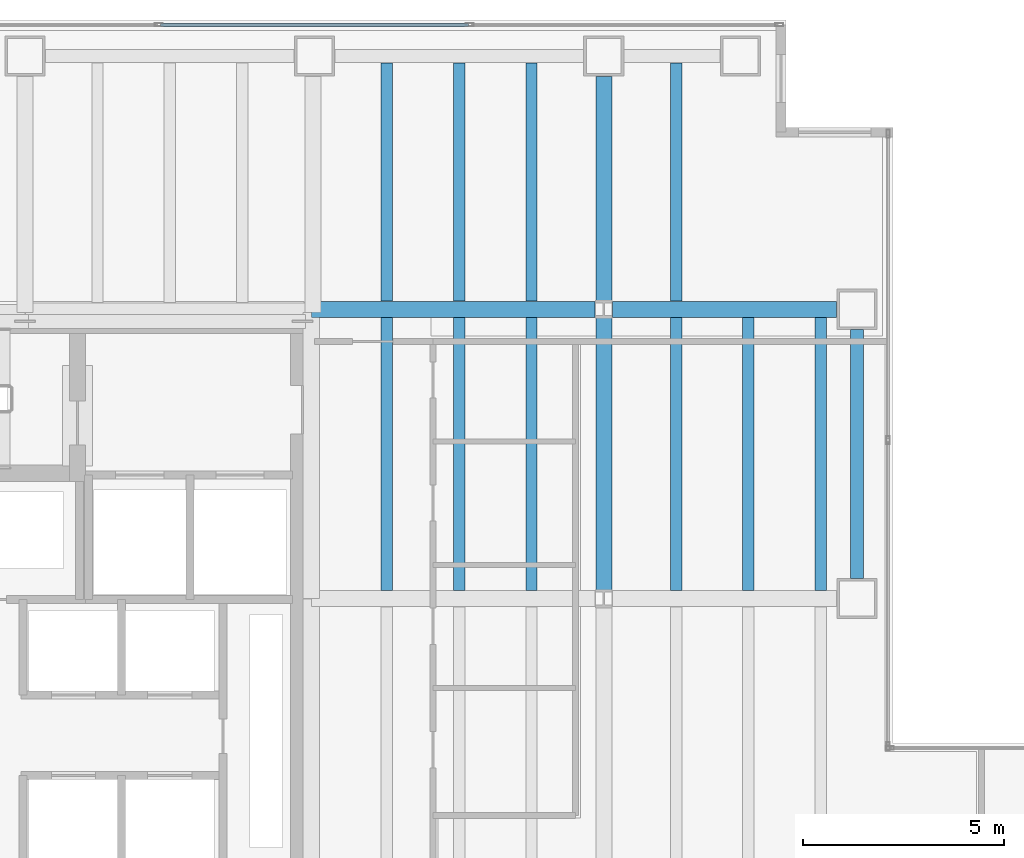
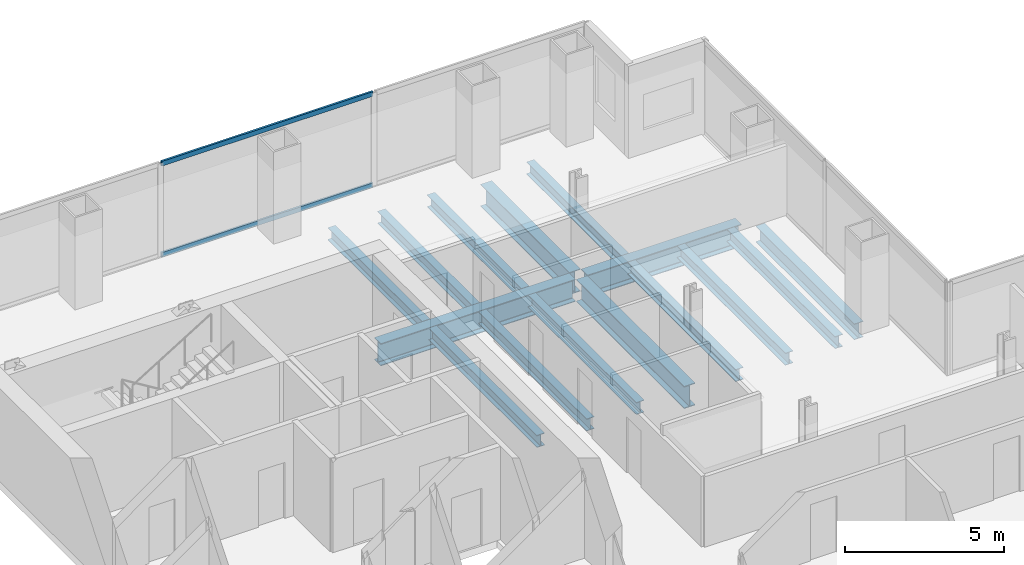
# One storey, part 17 of 23: 15 beams, 2 members, 1 element without a shape of its own.
"""IFC4 building model written with IfcOpenShell, lengths in metres."""

from ifc_helpers import new_model, si_unit, direction, frame, origin, origin_2d, place, context, subcontext, project, spatial, hollow_rectangle, i_section, extrude, material, material_profile, profile_set, type_object, element, aggregate, save


model = new_model("IFC4")

# Units and contexts
model_context = context("Model", 3, precision=1e-05, world=origin(), true_north=direction((0.0, 1.0)))
body_context = subcontext(model_context, "Body", "Model", "MODEL_VIEW")
ifc_project = project(units=[si_unit("LENGTHUNIT", "METRE"), si_unit("AREAUNIT", "SQUARE_METRE"), si_unit("VOLUMEUNIT", "CUBIC_METRE"), si_unit("PLANEANGLEUNIT", "RADIAN"), si_unit("MASSUNIT", "GRAM", prefix="KILO")], contexts=[model_context])

# Site, building, storey
site_placement = place(None, origin())
site = spatial("IfcSite", under=ifc_project, at=site_placement, CompositionType="ELEMENT")
building_placement = place(site_placement, origin())
building = spatial("IfcBuilding", under=site, at=building_placement, Name="Cobrela Telecom Tower", CompositionType="ELEMENT")
storey_placement = place(building_placement, frame((0.0, 0.0, 50.39990234375)))
storey = spatial("IfcBuildingStorey", under=building, at=storey_placement, Name="L12", CompositionType="ELEMENT", Elevation=50.39990234375)

# Beams
ifc_material_1 = material(Name="Steel ASTM A992 Grade 50", Category="steel")
ifc_material_profile_1 = material_profile(ifc_material_1, i_section(OverallWidth=0.39892578125, OverallDepth=0.85595703125, WebThickness=0.018310546875, FlangeThickness=0.029296875, FilletRadius=0.02001953125, at=origin_2d()), Name="W33X201")
ifc_profile_set_1 = profile_set([ifc_material_profile_1], Name="Steel ASTM A992 Grade 50")
beam_type_1 = type_object("IfcBeamType", Name="BM-GIRD-03", PredefinedType="USERDEFINED", material=ifc_profile_set_1)
beam_1_placement = place(storey_placement, frame((14.324951171875, 36.0, -0.7080078125), z_axis=(1.0, 0.0, 0.0), x_axis=(0.0, 1.0, 0.0)))
element("IfcBeam", 1, at=beam_1_placement, inside=storey, type_object=beam_type_1, Name="L12 Primary Girder X27", ObjectType="GIRDER", PredefinedType="USERDEFINED", context=body_context, shape_type="SweptSolid", body=[
    extrude(i_section(OverallWidth=0.39892578125, OverallDepth=0.85595703125, WebThickness=0.018310546875, FlangeThickness=0.029296875, FilletRadius=0.02001953125, at=origin_2d()), origin(), (0.0, 0.0, 1.0), 7.05908203125),
])
beam_2_placement = place(storey_placement, frame((21.81591796875, 36.0, -0.7080078125), z_axis=(1.0, 0.0, 0.0), x_axis=(0.0, 1.0, 0.0)))
element("IfcBeam", 2, at=beam_2_placement, inside=storey, type_object=beam_type_1, Name="L12 Primary Girder X28", ObjectType="GIRDER", PredefinedType="USERDEFINED", context=body_context, shape_type="SweptSolid", body=[
    extrude(i_section(OverallWidth=0.39892578125, OverallDepth=0.85595703125, WebThickness=0.018310546875, FlangeThickness=0.029296875, FilletRadius=0.02001953125, at=origin_2d()), origin(), (0.0, 0.0, 1.0), 5.5791015625),
])
beam_3_placement = place(storey_placement, frame((21.60009765625, 29.01611328125, -0.7080078125), z_axis=(0.0, 1.0, 0.0), x_axis=(-1.0, 0.0, 0.0)))
element("IfcBeam", 3, at=beam_3_placement, inside=storey, type_object=beam_type_1, Name="L12 Primary Girder Y44", ObjectType="GIRDER", PredefinedType="USERDEFINED", context=body_context, shape_type="SweptSolid", body=[
    extrude(i_section(OverallWidth=0.39892578125, OverallDepth=0.85595703125, WebThickness=0.018310546875, FlangeThickness=0.029296875, FilletRadius=0.02001953125, at=origin_2d()), origin(), (0.0, 0.0, 1.0), 6.767822265625),
])
beam_4_placement = place(storey_placement, frame((21.60009765625, 36.216064453125, -0.7080078125), z_axis=(0.0, 1.0, 0.0), x_axis=(-1.0, 0.0, 0.0)))
element("IfcBeam", 4, at=beam_4_placement, inside=storey, type_object=beam_type_1, Name="L12 Primary Girder Y45", ObjectType="GIRDER", PredefinedType="USERDEFINED", context=body_context, shape_type="SweptSolid", body=[
    extrude(i_section(OverallWidth=0.39892578125, OverallDepth=0.85595703125, WebThickness=0.018310546875, FlangeThickness=0.029296875, FilletRadius=0.02001953125, at=origin_2d()), origin(), (0.0, 0.0, 1.0), 5.578857421875),
])
ifc_material_profile_2 = material_profile(ifc_material_1, i_section(OverallWidth=0.281982421875, OverallDepth=0.467041015625, WebThickness=0.01220703125, FlangeThickness=0.01953125, FilletRadius=0.012939453125, at=origin_2d()), Name="W18X86")
ifc_profile_set_2 = profile_set([ifc_material_profile_2], Name="Steel ASTM A992 Grade 50")
beam_type_2 = type_object("IfcBeamType", Name="BM-JOIST-02", PredefinedType="JOIST", material=ifc_profile_set_2)
beam_5_placement = place(storey_placement, frame((16.199951171875, 29.00439453125, -0.513427734375), z_axis=(0.0, 1.0, 0.0), x_axis=(-1.0, 0.0, 0.0)))
element("IfcBeam", 5, at=beam_5_placement, inside=storey, type_object=beam_type_2, Name="L12 Secondary Composite Floor Beam J11", PredefinedType="JOIST", context=body_context, shape_type="SweptSolid", body=[
    extrude(i_section(OverallWidth=0.281982421875, OverallDepth=0.467041015625, WebThickness=0.01220703125, FlangeThickness=0.01953125, FilletRadius=0.012939453125, at=origin_2d()), origin(), (0.0, 0.0, 1.0), 6.791015625),
])
beam_6_placement = place(storey_placement, frame((16.199951171875, 36.20458984375, -0.513427734375), z_axis=(0.0, 1.0, 0.0), x_axis=(-1.0, 0.0, 0.0)))
element("IfcBeam", 6, at=beam_6_placement, inside=storey, type_object=beam_type_2, Name="L12 Secondary Composite Floor Beam J12", PredefinedType="JOIST", context=body_context, shape_type="SweptSolid", body=[
    extrude(i_section(OverallWidth=0.281982421875, OverallDepth=0.467041015625, WebThickness=0.01220703125, FlangeThickness=0.01953125, FilletRadius=0.012939453125, at=origin_2d()), origin(), (0.0, 0.0, 1.0), 5.927978515625),
])
beam_7_placement = place(storey_placement, frame((18.0, 29.00439453125, -0.513427734375), z_axis=(0.0, 1.0, 0.0), x_axis=(-1.0, 0.0, 0.0)))
element("IfcBeam", 7, at=beam_7_placement, inside=storey, type_object=beam_type_2, Name="L12 Secondary Composite Floor Beam J17", PredefinedType="JOIST", context=body_context, shape_type="SweptSolid", body=[
    extrude(i_section(OverallWidth=0.281982421875, OverallDepth=0.467041015625, WebThickness=0.01220703125, FlangeThickness=0.01953125, FilletRadius=0.012939453125, at=origin_2d()), origin(), (0.0, 0.0, 1.0), 6.791015625),
])
beam_8_placement = place(storey_placement, frame((18.0, 36.20458984375, -0.513427734375), z_axis=(0.0, 1.0, 0.0), x_axis=(-1.0, 0.0, 0.0)))
element("IfcBeam", 8, at=beam_8_placement, inside=storey, type_object=beam_type_2, Name="L12 Secondary Composite Floor Beam J18", PredefinedType="JOIST", context=body_context, shape_type="SweptSolid", body=[
    extrude(i_section(OverallWidth=0.281982421875, OverallDepth=0.467041015625, WebThickness=0.01220703125, FlangeThickness=0.01953125, FilletRadius=0.012939453125, at=origin_2d()), origin(), (0.0, 0.0, 1.0), 5.927978515625),
])
beam_9_placement = place(storey_placement, frame((19.800048828125, 29.00439453125, -0.513427734375), z_axis=(0.0, 1.0, 0.0), x_axis=(-1.0, 0.0, 0.0)))
element("IfcBeam", 9, at=beam_9_placement, inside=storey, type_object=beam_type_2, Name="L12 Secondary Composite Floor Beam J23", PredefinedType="JOIST", context=body_context, shape_type="SweptSolid", body=[
    extrude(i_section(OverallWidth=0.281982421875, OverallDepth=0.467041015625, WebThickness=0.01220703125, FlangeThickness=0.01953125, FilletRadius=0.012939453125, at=origin_2d()), origin(), (0.0, 0.0, 1.0), 6.791015625),
])
beam_10_placement = place(storey_placement, frame((19.800048828125, 36.20458984375, -0.513427734375), z_axis=(0.0, 1.0, 0.0), x_axis=(-1.0, 0.0, 0.0)))
element("IfcBeam", 10, at=beam_10_placement, inside=storey, type_object=beam_type_2, Name="L12 Secondary Composite Floor Beam J24", PredefinedType="JOIST", context=body_context, shape_type="SweptSolid", body=[
    extrude(i_section(OverallWidth=0.281982421875, OverallDepth=0.467041015625, WebThickness=0.01220703125, FlangeThickness=0.01953125, FilletRadius=0.012939453125, at=origin_2d()), origin(), (0.0, 0.0, 1.0), 5.927978515625),
])
beam_11_placement = place(storey_placement, frame((23.39990234375, 29.00439453125, -0.513427734375), z_axis=(0.0, 1.0, 0.0), x_axis=(-1.0, 0.0, 0.0)))
element("IfcBeam", 11, at=beam_11_placement, inside=storey, type_object=beam_type_2, Name="L12 Secondary Composite Floor Beam J29", PredefinedType="JOIST", context=body_context, shape_type="SweptSolid", body=[
    extrude(i_section(OverallWidth=0.281982421875, OverallDepth=0.467041015625, WebThickness=0.01220703125, FlangeThickness=0.01953125, FilletRadius=0.012939453125, at=origin_2d()), origin(), (0.0, 0.0, 1.0), 6.791015625),
])
beam_12_placement = place(storey_placement, frame((23.39990234375, 36.20458984375, -0.513427734375), z_axis=(0.0, 1.0, 0.0), x_axis=(-1.0, 0.0, 0.0)))
element("IfcBeam", 12, at=beam_12_placement, inside=storey, type_object=beam_type_2, Name="L12 Secondary Composite Floor Beam J30", PredefinedType="JOIST", context=body_context, shape_type="SweptSolid", body=[
    extrude(i_section(OverallWidth=0.281982421875, OverallDepth=0.467041015625, WebThickness=0.01220703125, FlangeThickness=0.01953125, FilletRadius=0.012939453125, at=origin_2d()), origin(), (0.0, 0.0, 1.0), 5.927978515625),
])
for number, where, z_axis, x_axis, name in (
    (13, (25.199951171875, 29.00439453125, -0.513427734375), (0.0, 1.0, 0.0), (-1.0, 0.0, 0.0), "L12 Secondary Composite Floor Beam J35"),
    (14, (27.0, 29.00439453125, -0.513427734375), (0.0, 1.0, 0.0), (-1.0, 0.0, 0.0), "L12 Secondary Composite Floor Beam J40"),
):
    element("IfcBeam", number, at=place(storey_placement, frame(where, z_axis=z_axis, x_axis=x_axis)), inside=storey, type_object=beam_type_2, Name=name, PredefinedType="JOIST", context=body_context, shape_type="SweptSolid", body=[
        extrude(i_section(OverallWidth=0.281982421875, OverallDepth=0.467041015625, WebThickness=0.01220703125, FlangeThickness=0.01953125, FilletRadius=0.012939453125, at=origin_2d()), origin(), (0.0, 0.0, 1.0), 6.791015625),
    ])
ifc_material_profile_3 = material_profile(ifc_material_1, i_section(OverallWidth=0.324951171875, OverallDepth=0.612060546875, WebThickness=0.0126953125, FlangeThickness=0.01904296875, FilletRadius=0.014892578125, at=origin_2d()), Name="W24X104")
ifc_profile_set_3 = profile_set([ifc_material_profile_3], Name="Steel ASTM A992 Grade 50")
beam_type_3 = type_object("IfcBeamType", Name="BM-SPAND-02", PredefinedType="SPANDREL", material=ifc_profile_set_3)
beam_13_placement = place(storey_placement, frame((27.89990234375, 29.304931640625, -0.5859375), z_axis=(0.0, 1.0, 0.0), x_axis=(-1.0, 0.0, 0.0)))
element("IfcBeam", 15, at=beam_13_placement, inside=storey, type_object=beam_type_3, Name="L12 Perimeter Spandrel Y46", PredefinedType="SPANDREL", context=body_context, shape_type="SweptSolid", body=[
    extrude(i_section(OverallWidth=0.324951171875, OverallDepth=0.612060546875, WebThickness=0.0126953125, FlangeThickness=0.01904296875, FilletRadius=0.014892578125, at=origin_2d()), origin(), (0.0, 0.0, 1.0), 6.190185546875),
])

# Curtain wall, members
ifc_material_2 = material(Name="Anodized Bronze Aluminium 6063-T6", Category="aluminium")
curtain_wall_type = type_object("IfcCurtainWallType", Name="CW-SYS-DATA", PredefinedType="USERDEFINED", material=ifc_material_2)
curtain_wall_placement = place(storey_placement, origin())
curtain_wall = element("IfcCurtainWall", 16, at=curtain_wall_placement, inside=storey, type_object=curtain_wall_type, Name="L12 Unitised Bronze Curtain Wall 07", ObjectType="UNITISED CURTAIN WALL", PredefinedType="USERDEFINED")
ifc_material_profile_4 = material_profile(ifc_material_2, hollow_rectangle(XDim=0.074951171875, YDim=0.179931640625, WallThickness=0.00390625, at=origin_2d()), Name="ALU 75x180x4")
ifc_profile_set_4 = profile_set([ifc_material_profile_4], Name="Anodized Bronze Aluminium 6063-T6")
member_type = type_object("IfcMemberType", Name="CW-SYS-DATA-TRN", PredefinedType="USERDEFINED", material=ifc_profile_set_4)
member_1_placement = place(storey_placement, frame((10.570068359375, 43.080078125, 0.03759765625), z_axis=(1.0, 0.0, 0.0), x_axis=(0.0, 1.0, 0.0)))
member_1 = element("IfcMember", 17, at=member_1_placement, type_object=member_type, Name="CW-DATA transom 2.1", ObjectType="TRANSOM", PredefinedType="USERDEFINED", context=body_context, shape_type="SweptSolid", body=[
    extrude(hollow_rectangle(XDim=0.074951171875, YDim=0.179931640625, WallThickness=0.00390625, at=origin_2d()), origin(), (0.0, 0.0, 1.0), 7.659912109375),
])
member_2_placement = place(storey_placement, frame((10.570068359375, 43.080078125, 3.53271484375), z_axis=(1.0, 0.0, 0.0), x_axis=(0.0, 1.0, 0.0)))
member_2 = element("IfcMember", 18, at=member_2_placement, type_object=member_type, Name="CW-DATA transom 2.2", ObjectType="TRANSOM", PredefinedType="USERDEFINED", context=body_context, shape_type="SweptSolid", body=[
    extrude(hollow_rectangle(XDim=0.074951171875, YDim=0.179931640625, WallThickness=0.00390625, at=origin_2d()), origin(), (0.0, 0.0, 1.0), 7.659912109375),
])
aggregate(curtain_wall, [member_1, member_2])

save(model, "model.ifc")
